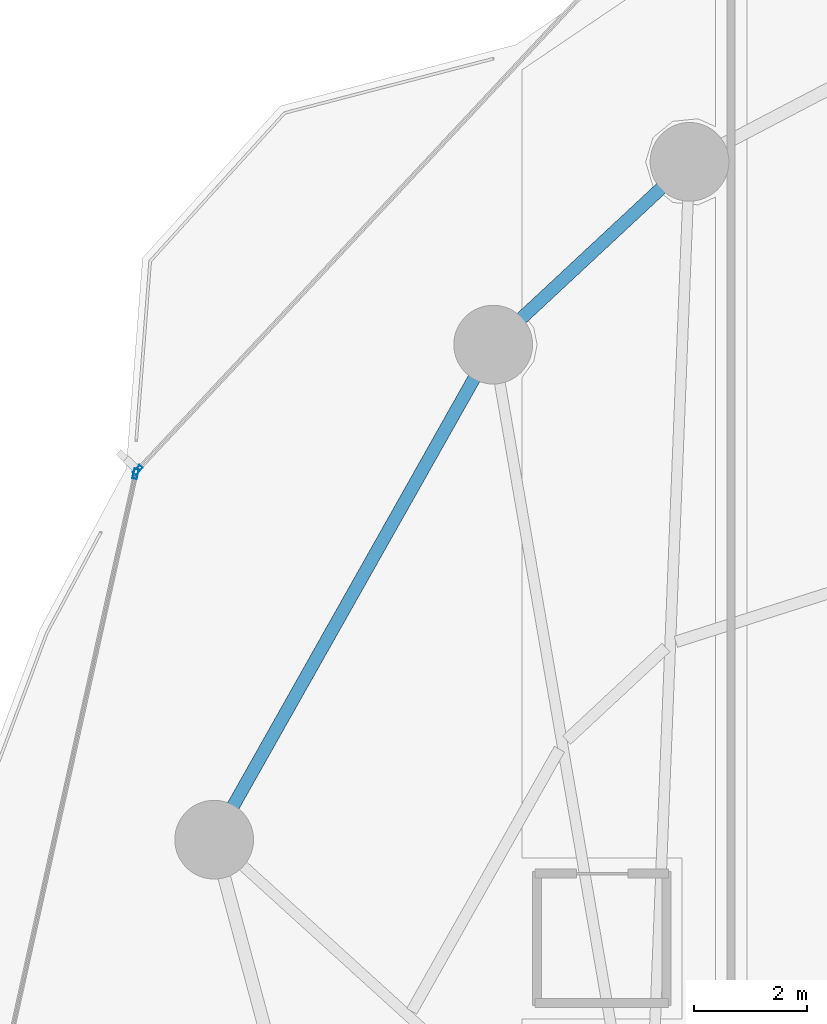
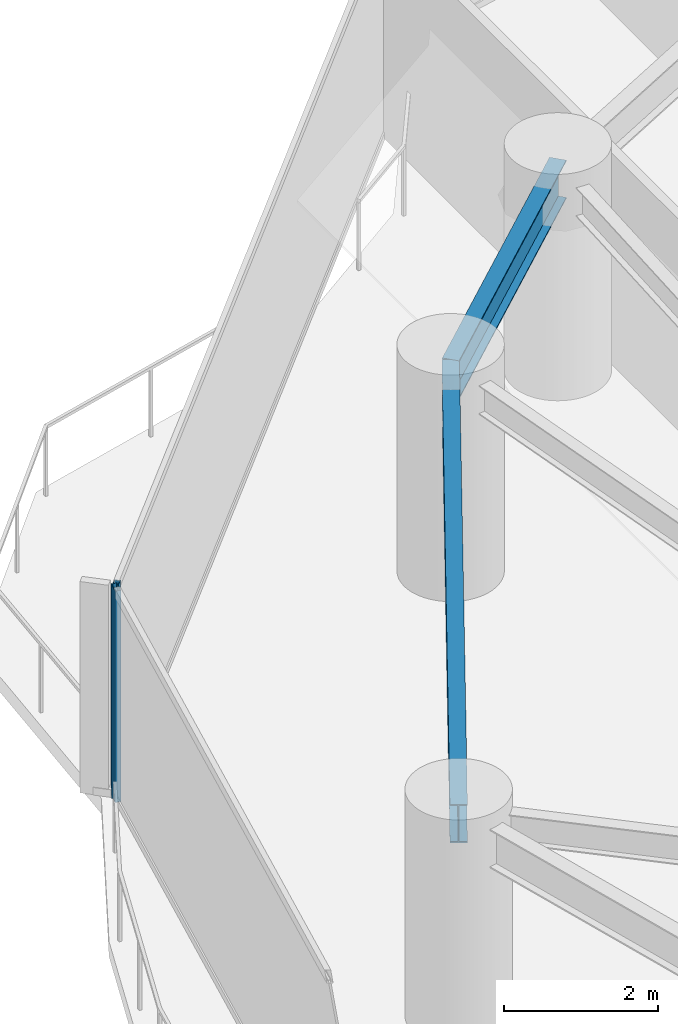
# One storey, part 15 of 33: 2 beams, 2 members, 2 elements without a shape of their own.
"""IFC4 building model written with IfcOpenShell, lengths in metres."""

from ifc_helpers import new_model, si_unit, direction, frame, origin, origin_2d, place, context, subcontext, project, spatial, hollow_rectangle, i_section, extrude, material, layer, layer_set, material_profile, profile_set, type_object, element, aggregate, save


model = new_model("IFC4")

# Units and contexts
model_context = context("Model", 3, precision=1e-05, world=origin(), true_north=direction((0.0, 1.0)))
body_context = subcontext(model_context, "Body", "Model", "MODEL_VIEW")
ifc_project = project(units=[si_unit("LENGTHUNIT", "METRE"), si_unit("AREAUNIT", "SQUARE_METRE"), si_unit("VOLUMEUNIT", "CUBIC_METRE"), si_unit("PLANEANGLEUNIT", "RADIAN"), si_unit("MASSUNIT", "GRAM", prefix="KILO")], contexts=[model_context])

# Site, building, storey
site_placement = place(None, origin())
site = spatial("IfcSite", under=ifc_project, at=site_placement, CompositionType="ELEMENT")
building_placement = place(site_placement, origin())
building = spatial("IfcBuilding", under=site, at=building_placement, Name="Kazevale Care Tower and Concert Hall", CompositionType="ELEMENT")
storey_placement = place(building_placement, frame((0.0, 0.0, 31.199951171875)))
storey = spatial("IfcBuildingStorey", under=building, at=storey_placement, Name="L07", CompositionType="ELEMENT", Elevation=31.199951171875)

# Curtain wall, member
ifc_material_1 = material(Name="Aluminium 6063-T6 and Low-E Glass", Category="aluminium")
ifc_layer_1 = layer(ifc_material_1, 0.179931640625)
ifc_layer_set_1 = layer_set([ifc_layer_1], Name="Aluminium 6063-T6 and Low-E Glass")
curtain_wall_type_1 = type_object("IfcCurtainWallType", Name="Convex Checkerboard Finned Curtain Wall CW-2", PredefinedType="NOTDEFINED", material=ifc_layer_set_1)
curtain_wall_1_placement = place(storey_placement, origin())
curtain_wall_1 = element("IfcCurtainWall", 1, at=curtain_wall_1_placement, inside=storey, type_object=curtain_wall_type_1, Name="cw:L07:f14", PredefinedType="NOTDEFINED")
ifc_material_2 = material(Name="Aluminium 6063-T6", Category="aluminium")
ifc_material_profile_1 = material_profile(ifc_material_2, hollow_rectangle(XDim=0.080078125, YDim=0.179931640625, WallThickness=0.0048828125, at=origin_2d()), Name="ALU80x180x5")
ifc_profile_set_1 = profile_set([ifc_material_profile_1], Name="Aluminium 6063-T6")
member_type_1 = type_object("IfcMemberType", Name="CW-2 Mullion ALU80x180x5", PredefinedType="MULLION", material=ifc_profile_set_1)
member_1_placement = place(storey_placement, frame((12.94921875, 49.9521484375, 0.0), z_axis=(0.0, 0.0, 1.0), x_axis=(-0.730363049987, 0.683059159381, 0.0)))
member_1 = element("IfcMember", 2, at=member_1_placement, type_object=member_type_1, Name="CW-2 mullion 1", PredefinedType="MULLION", context=body_context, shape_type="SweptSolid", body=[
    extrude(hollow_rectangle(XDim=0.080078125, YDim=0.179931640625, WallThickness=0.0048828125, at=origin_2d()), origin(), (0.0, 0.0, 1.0), 3.360107421875),
])
aggregate(curtain_wall_1, [member_1])

ifc_layer_2 = layer(ifc_material_1, 0.179931640625)
ifc_layer_set_2 = layer_set([ifc_layer_2], Name="Aluminium 6063-T6 and Low-E Glass")
curtain_wall_type_2 = type_object("IfcCurtainWallType", Name="Waist & Upper Residential Curtain Wall CW-4", PredefinedType="NOTDEFINED", material=ifc_layer_set_2)
curtain_wall_2_placement = place(storey_placement, origin())
curtain_wall_2 = element("IfcCurtainWall", 3, at=curtain_wall_2_placement, inside=storey, type_object=curtain_wall_type_2, Name="cw:L07:f13", PredefinedType="NOTDEFINED")
ifc_material_profile_2 = material_profile(ifc_material_2, hollow_rectangle(XDim=0.080078125, YDim=0.179931640625, WallThickness=0.0048828125, at=origin_2d()), Name="ALU80x180x5")
ifc_profile_set_2 = profile_set([ifc_material_profile_2], Name="Aluminium 6063-T6")
member_type_2 = type_object("IfcMemberType", Name="CW-4 Mullion ALU80x180x5", PredefinedType="MULLION", material=ifc_profile_set_2)
member_2_placement = place(storey_placement, frame((12.913330078125, 49.884033203125, 0.0), z_axis=(0.0, 0.0, 1.0), x_axis=(-0.976291328475, 0.216460716862, 0.0)))
member_2 = element("IfcMember", 4, at=member_2_placement, type_object=member_type_2, Name="CW-4 mullion 2", PredefinedType="MULLION", context=body_context, shape_type="SweptSolid", body=[
    extrude(hollow_rectangle(XDim=0.080078125, YDim=0.179931640625, WallThickness=0.0048828125, at=origin_2d()), origin(), (0.0, 0.0, 1.0), 3.360107421875),
])
aggregate(curtain_wall_2, [member_2])

# Beams
ifc_material_3 = material(Name="Steel ASTM A572 Gr 50", Category="steel")
ifc_material_profile_3 = material_profile(ifc_material_3, i_section(OverallWidth=0.22900390625, OverallDepth=0.612060546875, WebThickness=0.011962890625, FlangeThickness=0.01953125, at=origin_2d()), Name="W610x125")
ifc_profile_set_3 = profile_set([ifc_material_profile_3], Name="Steel ASTM A572 Gr 50")
beam_type = type_object("IfcBeamType", Name="Ring Spandrel Beam W610x125", PredefinedType="SPANDREL", material=ifc_profile_set_3)
beam_1_placement = place(storey_placement, frame((22.760009765625, 55.429931640625, 3.053955078125), z_axis=(-0.731820896228, -0.681497010884, 0.0), x_axis=(0.681497010884, -0.731820896228, 0.0)))
element("IfcBeam", 5, at=beam_1_placement, inside=storey, type_object=beam_type, Name="beam:L07:ring:07", PredefinedType="SPANDREL", context=body_context, shape_type="SweptSolid", body=[
    extrude(i_section(OverallWidth=0.22900390625, OverallDepth=0.612060546875, WebThickness=0.011962890625, FlangeThickness=0.01953125, at=origin_2d()), origin(), (0.0, 0.0, 1.0), 4.768798828125),
])
beam_2_placement = place(storey_placement, frame((19.27001953125, 52.179931640625, 3.053955078125), z_axis=(-0.491008061092, -0.87115502865, 0.0), x_axis=(0.87115502865, -0.491008061092, 0.0)))
element("IfcBeam", 6, at=beam_2_placement, inside=storey, type_object=beam_type, Name="beam:L07:ring:08", PredefinedType="SPANDREL", context=body_context, shape_type="SweptSolid", body=[
    extrude(i_section(OverallWidth=0.22900390625, OverallDepth=0.612060546875, WebThickness=0.011962890625, FlangeThickness=0.01953125, at=origin_2d()), origin(), (0.0, 0.0, 1.0), 10.1015625),
])

save(model, "model.ifc")
